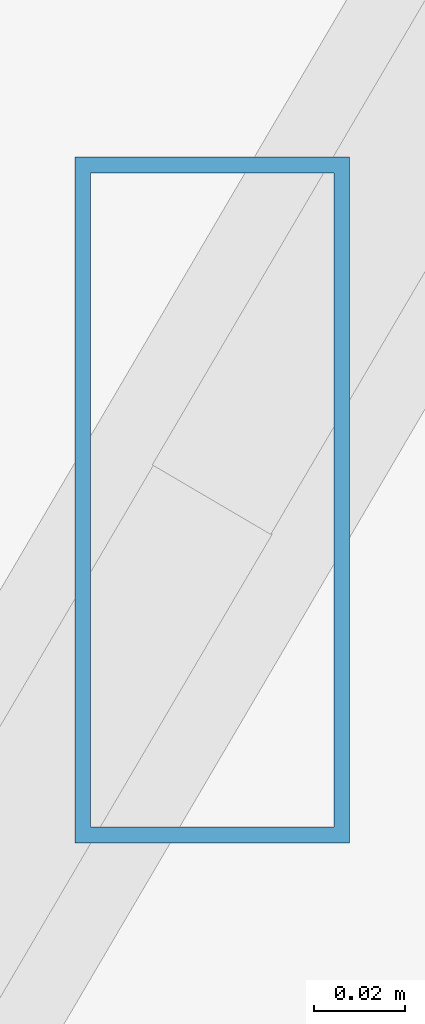
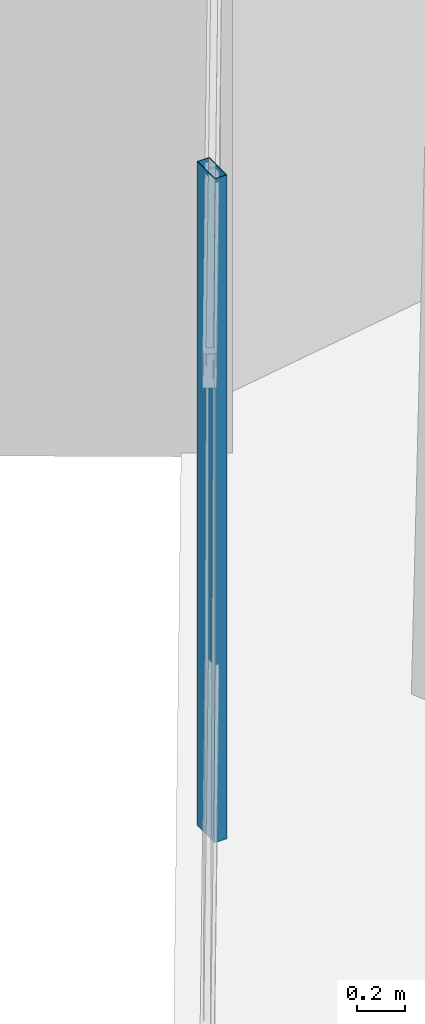
# One storey, part 8 of 42: 1 member, 1 element without a shape of its own.
"""IFC4 building model written with IfcOpenShell, lengths in metres."""

from ifc_helpers import new_model, si_unit, direction, frame, origin, origin_2d, place, context, subcontext, project, spatial, hollow_rectangle, extrude, source, transform, mapped, material, material_profile, profile_set, type_object, type_shapes, element, aggregate, save


model = new_model("IFC4")

# Units and contexts
model_context = context("Model", 3, precision=1e-05, world=origin(), true_north=direction((0.0, 1.0)))
body_context = subcontext(model_context, "Body", "Model", "MODEL_VIEW")
ifc_project = project(units=[si_unit("LENGTHUNIT", "METRE"), si_unit("AREAUNIT", "SQUARE_METRE"), si_unit("VOLUMEUNIT", "CUBIC_METRE"), si_unit("PLANEANGLEUNIT", "RADIAN"), si_unit("MASSUNIT", "GRAM", prefix="KILO")], contexts=[model_context])

# Site, building, storey
site_placement = place(None, origin())
site = spatial("IfcSite", under=ifc_project, at=site_placement, CompositionType="ELEMENT")
building_placement = place(site_placement, origin())
building = spatial("IfcBuilding", under=site, at=building_placement, Name="Caelisora Broadcast Tower", CompositionType="ELEMENT")
storey_placement = place(building_placement, frame((0.0, 0.0, 184.050048828125)))
storey = spatial("IfcBuildingStorey", under=building, at=storey_placement, Name="L48", CompositionType="ELEMENT", Elevation=184.050048828125)

# Curtain wall, member
ifc_material_1 = material(Name="Unitised Aluminium and Low-E Glass Curtain Wall", Category="glass")
curtain_wall_type = type_object("IfcCurtainWallType", Name="CW-Z4", PredefinedType="NOTDEFINED", material=ifc_material_1)
curtain_wall_placement = place(storey_placement, origin())
curtain_wall = element("IfcCurtainWall", 1, at=curtain_wall_placement, inside=storey, type_object=curtain_wall_type, Name="L48 curtain wall CW-Z4", PredefinedType="NOTDEFINED")
ifc_material_2 = material(Name="Aluminium 6063-T6 Anodised Terracotta Bronze", Category="aluminium")
ifc_material_profile = material_profile(ifc_material_2, hollow_rectangle(XDim=0.06005859375, YDim=0.14990234375, WallThickness=0.00341796875, at=origin_2d()), Name="Aluminium 6063-T6 Anodised Terracotta Bronze")
ifc_profile_set = profile_set([ifc_material_profile], Name="Aluminium 6063-T6 Anodised Terracotta Bronze")
member_type = type_object("IfcMemberType", Name="CWM-03", PredefinedType="MULLION", material=ifc_profile_set)
shared_shape = source(origin(), body_context, "Body", "SweptSolid", [
    extrude(hollow_rectangle(XDim=0.06005859375, YDim=0.14990234375, WallThickness=0.00341796875, at=origin_2d()), origin(), (0.0, 0.0, 1.0), 3.39990234375),
])
type_shapes(member_type, [shared_shape])
member_placement = place(storey_placement, frame((13.93017578125, 17.296142578125, 0.0), z_axis=(0.0, 0.0, 1.0), x_axis=(1.0, 0.0, 0.0)))
member = element("IfcMember", 2, at=member_placement, type_object=member_type, Name="L48-CW-B09 mullion #1", PredefinedType="MULLION", context=body_context, shape_type="MappedRepresentation", body=[
    mapped(shared_shape, transform((0.0, 0.0, 0.0), scale=1.0)),
])
aggregate(curtain_wall, [member])

save(model, "model.ifc")
